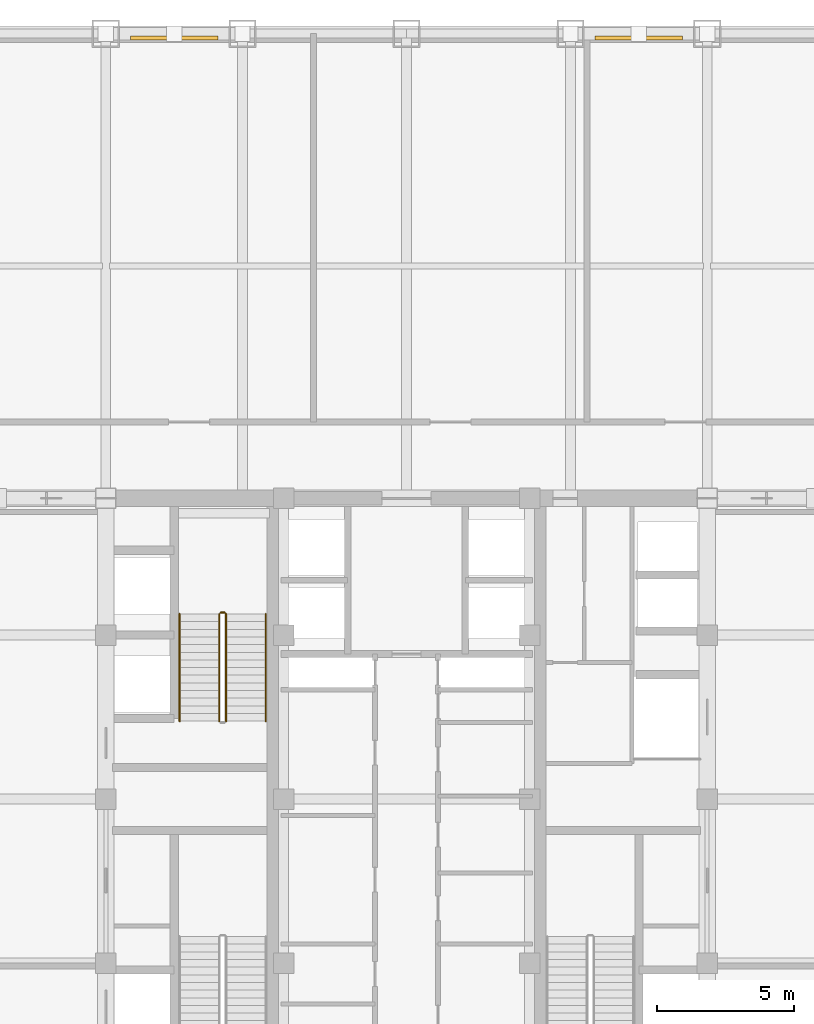
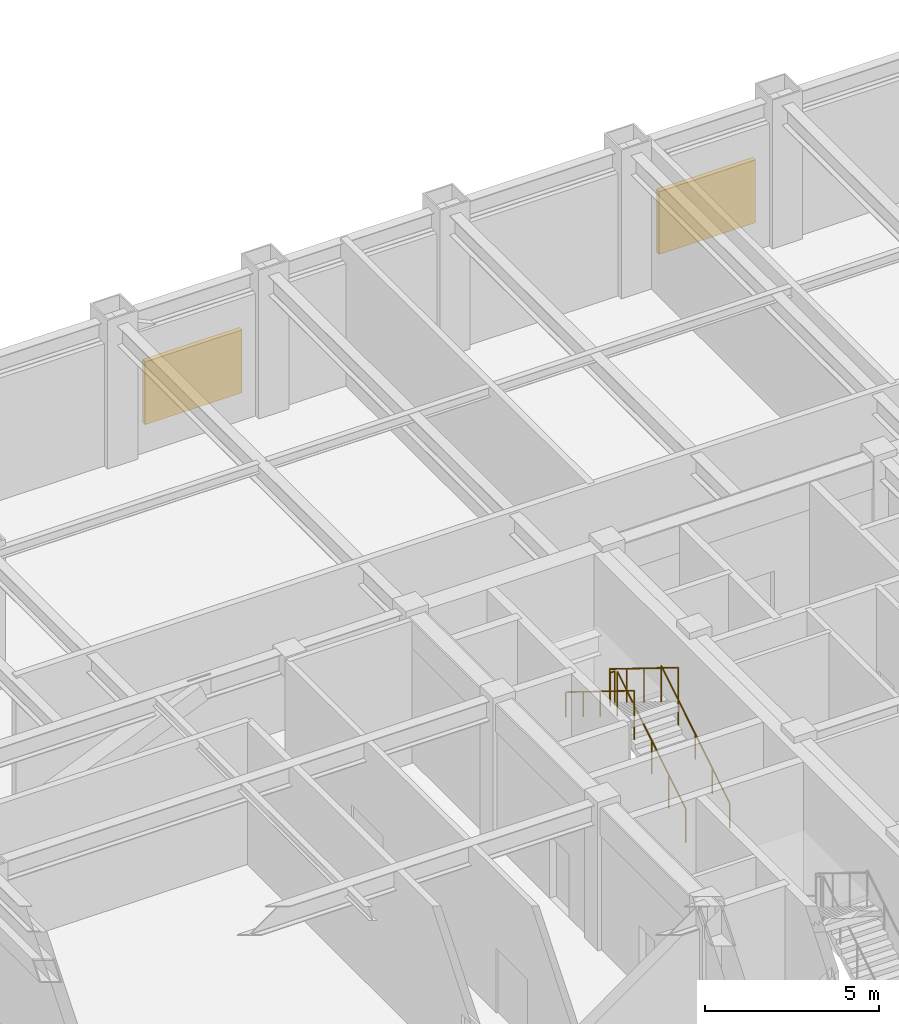
# One storey, part 11 of 11: 5 railings, 2 shading devices.
"""IFC4 building model written with IfcOpenShell, lengths in metres."""

import ifcopenshell
import ifcopenshell.guid

model = None  # the IFC model being written
_history = None  # IfcOwnerHistory: only IFC2X3 demands one
_inside = {}  # id of a spatial element -> (the spatial element, [elements in it])
_under = {}  # id of a project, library or spatial element -> (it, [spatial elements below it])
_declared = {}  # id of a project -> (the project, [libraries it declares])
_typed = {}  # id of a type object -> (the type object, [elements of that type])
_made_of = {}  # id of a material, layer set ... -> (it, [elements and type objects made of it])


def new_model(schema):
    """Start an empty IFC model of exactly this schema.

    Asked for "IFC4X3", IfcOpenShell would pick the latest addendum, in which some entities
    have other attributes; the version numbers below select the first issue.
    IFC2X3 requires an IfcOwnerHistory on every rooted entity: one is made here for all.
    """
    global model, _history
    if schema == "IFC4X3":
        model = ifcopenshell.file(schema_version=(4, 3, 0, 0))
    else:
        model = ifcopenshell.file(schema=schema)
    _inside.clear()
    _under.clear()
    _declared.clear()
    _typed.clear()
    _made_of.clear()
    _history = None
    if model.schema == "IFC2X3":
        org = make("IfcOrganization", Name="unknown")
        user = make(
            "IfcPersonAndOrganization",
            ThePerson=make("IfcPerson", FamilyName="unknown"),
            TheOrganization=org,
        )
        app = make(
            "IfcApplication",
            ApplicationDeveloper=org,
            Version="unknown",
            ApplicationFullName="unknown",
            ApplicationIdentifier="unknown",
        )
        _history = make(
            "IfcOwnerHistory",
            OwningUser=user,
            OwningApplication=app,
            ChangeAction="ADDED",
            CreationDate=0,
        )
    return model


def make(cls, **values):
    """One entity of the class cls with the attributes given. An attribute that is None is left unset."""
    return model.create_entity(
        cls, **{name: value for name, value in values.items() if value is not None}
    )


def rooted(cls, **values):
    """An entity with a GlobalId (a new one), such as an element, a storey or a relation."""
    return make(cls, GlobalId=ifcopenshell.guid.new(), OwnerHistory=_history, **values)


def si_unit(unit_type, name, prefix=None):
    """IfcSIUnit, for example si_unit("LENGTHUNIT", "METRE", prefix="MILLI")."""
    return make("IfcSIUnit", UnitType=unit_type, Prefix=prefix, Name=name)


def assignment(units):
    """IfcUnitAssignment: the units of a project."""
    return None if units is None else make("IfcUnitAssignment", Units=units)


def point(xyz):
    """IfcCartesianPoint."""
    return None if xyz is None else make("IfcCartesianPoint", Coordinates=xyz)


def direction(xyz):
    """IfcDirection."""
    return None if xyz is None else make("IfcDirection", DirectionRatios=xyz)


def frame(location, z_axis=None, x_axis=None):
    """IfcAxis2Placement3D, a coordinate frame: its origin and axes. An axis left out is left unset."""
    return make(
        "IfcAxis2Placement3D",
        Location=point(location),
        Axis=direction(z_axis),
        RefDirection=direction(x_axis),
    )


def frame_2d(location, x_axis=None):
    """IfcAxis2Placement2D, a coordinate frame in the plane: its origin and x axis."""
    return make(
        "IfcAxis2Placement2D", Location=point(location), RefDirection=direction(x_axis)
    )


def origin():
    """The frame at (0, 0, 0) with its axes left unset."""
    return frame((0.0, 0.0, 0.0))


def origin_2d():
    """The frame at (0, 0) in the plane with its x axis left unset."""
    return frame_2d((0.0, 0.0))


def place(relative_to, where):
    """IfcLocalPlacement: puts the frame where relative to a parent placement (None: the world)."""
    return make(
        "IfcLocalPlacement", PlacementRelTo=relative_to, RelativePlacement=where
    )


def context(
    kind, dimensions, precision=None, world=None, true_north=None, identifier=None
):
    """IfcGeometricRepresentationContext, for example the 3D "Model" context."""
    return make(
        "IfcGeometricRepresentationContext",
        ContextIdentifier=identifier,
        ContextType=kind,
        CoordinateSpaceDimension=dimensions,
        Precision=precision,
        WorldCoordinateSystem=world,
        TrueNorth=true_north,
    )


def subcontext(parent, identifier, kind, view, scale=None):
    """IfcGeometricRepresentationSubContext, for example "Body" below "Model"."""
    return make(
        "IfcGeometricRepresentationSubContext",
        ContextIdentifier=identifier,
        ContextType=kind,
        ParentContext=parent,
        TargetScale=scale,
        TargetView=view,
    )


def project(units=None, contexts=None):
    """IfcProject with its units and contexts."""
    return rooted(
        "IfcProject",
        Name="project",
        RepresentationContexts=contexts,
        UnitsInContext=assignment(units),
    )


def spatial(cls, under=None, at=None, **own):
    """A site, building, storey or space (cls), placed at a placement, below another one or the project."""
    s = rooted(cls, ObjectPlacement=at, **own)
    if under is not None:
        _under.setdefault(under.id(), (under, []))[1].append(s)
    return s


def profile(cls, at=None, kind="AREA", **sizes):
    """A parametric profile (cls). Its sizes go by their IFC names, for example OverallWidth=200.0."""
    return make(cls, ProfileType=kind, Position=at, **sizes)


def rectangle(**sizes):
    """IfcRectangleProfileDef."""
    return profile("IfcRectangleProfileDef", **sizes)


def circle(**sizes):
    """IfcCircleProfileDef."""
    return profile("IfcCircleProfileDef", **sizes)


def extrude(swept, where, along, depth):
    """IfcExtrudedAreaSolid: the profile swept, set in the frame where, extruded along a direction by depth."""
    return make(
        "IfcExtrudedAreaSolid",
        SweptArea=swept,
        Position=where,
        ExtrudedDirection=direction(along),
        Depth=depth,
    )


def shape(context_of_items, identifier, shape_type, items):
    """IfcShapeRepresentation: the items that make up one representation, for example the "Body"."""
    return make(
        "IfcShapeRepresentation",
        ContextOfItems=context_of_items,
        RepresentationIdentifier=identifier,
        RepresentationType=shape_type,
        Items=items,
    )


def source(mapping_origin, context_of_items, identifier, shape_type, items):
    """IfcRepresentationMap: a shape defined once, which mapped items show again and again."""
    return make(
        "IfcRepresentationMap",
        MappingOrigin=mapping_origin,
        MappedRepresentation=shape(context_of_items, identifier, shape_type, items),
    )


def transform(
    local_origin,
    x_axis=None,
    y_axis=None,
    z_axis=None,
    scale=None,
    scale2=None,
    scale3=None,
    uniform=True,
):
    """IfcCartesianTransformationOperator3D, or its non-uniform kind. x_axis, y_axis, z_axis: its Axis1, 2, 3."""
    if uniform:
        return make(
            "IfcCartesianTransformationOperator3D",
            Axis1=direction(x_axis),
            Axis2=direction(y_axis),
            LocalOrigin=point(local_origin),
            Scale=scale,
            Axis3=direction(z_axis),
        )
    return make(
        "IfcCartesianTransformationOperator3DnonUniform",
        Axis1=direction(x_axis),
        Axis2=direction(y_axis),
        LocalOrigin=point(local_origin),
        Scale=scale,
        Axis3=direction(z_axis),
        Scale2=scale2,
        Scale3=scale3,
    )


def mapped(mapping_source, mapping_target):
    """IfcMappedItem: shows the shape of a source again, moved by a transform."""
    return make(
        "IfcMappedItem", MappingSource=mapping_source, MappingTarget=mapping_target
    )


def material(Name=None, Category=None):
    """IfcMaterial."""
    return make("IfcMaterial", Name=Name, Category=Category)


def layer(
    of_material, thickness, ventilated=None, Name=None, Category=None, Priority=None
):
    """IfcMaterialLayer: one layer of a wall or slab, of a material (None: an air gap)."""
    return make(
        "IfcMaterialLayer",
        Material=of_material,
        LayerThickness=thickness,
        IsVentilated=ventilated,
        Name=Name,
        Category=Category,
        Priority=Priority,
    )


def layer_set(layers, Name=None):
    """IfcMaterialLayerSet."""
    return make("IfcMaterialLayerSet", MaterialLayers=layers, LayerSetName=Name)


def made_of(thing, what):
    """Note that an element or type object is made of a material, layer set ...; save() writes the relation."""
    if what is not None:
        _made_of.setdefault(what.id(), (what, []))[1].append(thing)
    return thing


def type_object(cls, material=None, **own):
    """A type object (cls), such as IfcWallType, which elements share."""
    return made_of(rooted(cls, **own), material)


def element(
    cls,
    number,
    at=None,
    inside=None,
    cuts=None,
    type_object=None,
    material=None,
    context=None,
    identifier="Body",
    shape_type=None,
    held_by="IfcProductDefinitionShape",
    body=None,
    shapes=None,
    **own,
):
    """One element of the class cls, such as IfcWall. Its Tag is "e" and its number.

    at: its placement. inside: the storey or other place that contains it. cuts: it is an
    opening in that element (IfcRelVoidsElement). A single representation is given by context,
    identifier, shape_type and body (its items); several are given by shapes. held_by: the class
    of the entity that holds the representations. save() writes the other relations.
    """
    e = rooted(cls, Tag="e%d" % number, ObjectPlacement=at, **own)
    if body is not None:
        shapes = [shape(context, identifier, shape_type, body)]
    if shapes is not None:
        e.Representation = make(held_by, Representations=shapes)
    if inside is not None:
        _inside.setdefault(inside.id(), (inside, []))[1].append(e)
    if cuts is not None:
        rooted(
            "IfcRelVoidsElement", RelatingBuildingElement=cuts, RelatedOpeningElement=e
        )
    if type_object is not None:
        _typed.setdefault(type_object.id(), (type_object, []))[1].append(e)
    return made_of(e, material)


def aggregate(whole, parts):
    """IfcRelAggregates: a whole, such as a stair, and the parts it consists of."""
    return rooted("IfcRelAggregates", RelatingObject=whole, RelatedObjects=parts)


def save(model, path):
    """Write the relations noted so far, then the file.

    IfcRelAggregates (storeys below a building ...), IfcRelContainedInSpatialStructure (elements
    in a storey), IfcRelDefinesByType, IfcRelAssociatesMaterial and IfcRelDeclares: one each for
    every whole, place, type object, material and project.
    """
    for whole, parts in _under.values():
        aggregate(whole, parts)
    for where, things in _inside.values():
        rooted(
            "IfcRelContainedInSpatialStructure",
            RelatedElements=things,
            RelatingStructure=where,
        )
    for kind, things in _typed.values():
        rooted("IfcRelDefinesByType", RelatedObjects=things, RelatingType=kind)
    for what, things in _made_of.values():
        rooted("IfcRelAssociatesMaterial", RelatedObjects=things, RelatingMaterial=what)
    for by, libraries in _declared.values():
        rooted("IfcRelDeclares", RelatingContext=by, RelatedDefinitions=libraries)
    model.write(path)


model = new_model("IFC4")

# Units and contexts
model_context = context("Model", 3, precision=1e-05, world=origin(), true_north=direction((0.0, 1.0)))
body_context = subcontext(model_context, "Body", "Model", "MODEL_VIEW")
ifc_project = project(units=[si_unit("LENGTHUNIT", "METRE"), si_unit("AREAUNIT", "SQUARE_METRE"), si_unit("VOLUMEUNIT", "CUBIC_METRE"), si_unit("PLANEANGLEUNIT", "RADIAN"), si_unit("MASSUNIT", "GRAM", prefix="KILO")], contexts=[model_context])

# Site, building, storey
site_placement = place(None, origin())
site = spatial("IfcSite", under=ifc_project, at=site_placement, CompositionType="ELEMENT")
building_placement = place(site_placement, origin())
building = spatial("IfcBuilding", under=site, at=building_placement, Name="Khorayat Bourse Tower", CompositionType="ELEMENT")
storey_placement = place(building_placement, frame((0.0, 0.0, 268.300048828125)))
storey = spatial("IfcBuildingStorey", under=building, at=storey_placement, Name="L63", CompositionType="ELEMENT", Elevation=268.300048828125)

# Shading devices
ifc_material_1 = material(Name="Anodised champagne aluminium", Category="aluminium")
ifc_layer = layer(ifc_material_1, 0.14990234375)
ifc_layer_set = layer_set([ifc_layer], Name="Anodised champagne aluminium")
shading_device_type = type_object("IfcShadingDeviceType", Name="SHD-PLANT-LOUVRE", PredefinedType="JALOUSIE", material=ifc_layer_set)
shared_shape_1 = source(origin(), body_context, "Body", "SweptSolid", [
    extrude(rectangle(XDim=3.199951171875, YDim=0.14990234375, at=origin_2d()), origin(), (0.0, 0.0, 1.0), 2.199951171875),
])
for number, where, z_axis, x_axis, name in (
    (1, (-8.5, 27.840087890625, 0.89990234375), (0.0, 0.0, 1.0), (1.0, 0.0, 0.0), "L63 Acoustic Plant Intake Louvre N-1"),
    (2, (8.5, 27.840087890625, 0.89990234375), (0.0, 0.0, 1.0), (1.0, 0.0, 0.0), "L63 Acoustic Plant Intake Louvre N-2"),
):
    element("IfcShadingDevice", number, at=place(storey_placement, frame(where, z_axis=z_axis, x_axis=x_axis)), inside=storey, type_object=shading_device_type, Name=name, PredefinedType="JALOUSIE", context=body_context, shape_type="MappedRepresentation", body=[
        mapped(shared_shape_1, transform((0.0, 0.0, 0.0), scale=1.0)),
    ])

# Railings
ifc_material_2 = material(Name="Powder-coated steel balustrade", Category="steel")
railing_type_1 = type_object("IfcRailingType", Name="RLG-GUARD-1200", PredefinedType="GUARDRAIL", material=ifc_material_2)
shared_shape_2 = source(origin(), body_context, "Body", "SweptSolid", [
    extrude(circle(Radius=0.02392578125, at=origin_2d()), frame((0.0, 0.0, 1.17578125), z_axis=(-1.0, 0.0, 0.0), x_axis=(0.0, -1.0, 0.0)), (0.0, 0.0, 1.0), 0.150146484375),
    extrude(circle(Radius=0.02099609375, at=origin_2d()), origin(), (0.0, 0.0, 1.0), 1.15185546875),
    extrude(circle(Radius=0.02099609375, at=origin_2d()), frame((-0.150146484375, 0.0, 0.0)), (0.0, 0.0, 1.0), 1.15185546875),
])
railing_1_placement = place(storey_placement, frame((-6.64990234375, 6.820068359375, 2.599853515625)))
element("IfcRailing", 3, at=railing_1_placement, inside=storey, type_object=railing_type_1, Name="L63 ST-2 stair guard 2", PredefinedType="GUARDRAIL", context=body_context, shape_type="MappedRepresentation", body=[
    mapped(shared_shape_2, transform((0.0, 0.0, 0.0), scale=1.0)),
])
shared_shape_3 = source(origin(), body_context, "Body", "SweptSolid", [
    extrude(circle(Radius=0.02392578125, at=origin_2d()), frame((0.0, 0.0, 1.17578125), z_axis=(0.0, -0.850251603719, 0.526376491091), x_axis=(1.0, 0.0, 0.0)), (0.0, 0.0, 1.0), 4.6103515625),
    extrude(circle(Radius=0.02099609375, at=origin_2d()), origin(), (0.0, 0.0, 1.0), 1.15185546875),
    extrude(circle(Radius=0.02099609375, at=origin_2d()), frame((0.0, -0.97998046875, 0.606689453125)), (0.0, 0.0, 1.0), 1.15185546875),
    extrude(circle(Radius=0.02099609375, at=origin_2d()), frame((0.0, -1.9599609375, 1.21337890625)), (0.0, 0.0, 1.0), 1.15185546875),
    extrude(circle(Radius=0.02099609375, at=origin_2d()), frame((0.0, -2.93994140625, 1.820068359375)), (0.0, 0.0, 1.0), 1.15185546875),
    extrude(circle(Radius=0.02099609375, at=origin_2d()), frame((0.0, -3.919921875, 2.4267578125)), (0.0, 0.0, 1.0), 1.15185546875),
])
railing_2_placement = place(storey_placement, frame((-6.85009765625, 6.77001953125, 2.773193359375)))
element("IfcRailing", 4, at=railing_2_placement, inside=storey, type_object=railing_type_1, Name="L63 ST-2 stair guard 3", PredefinedType="GUARDRAIL", context=body_context, shape_type="MappedRepresentation", body=[
    mapped(shared_shape_3, transform((0.0, 0.0, 0.0), scale=1.0)),
])
ifc_material_3 = material(Name="Brushed bronze stainless-steel handrail", Category="steel")
railing_type_2 = type_object("IfcRailingType", Name="RLG-HAND-900", PredefinedType="HANDRAIL", material=ifc_material_3)
shared_shape_4 = source(origin(), body_context, "Body", "SweptSolid", [
    extrude(circle(Radius=0.02392578125, at=origin_2d()), frame((0.0, 0.0, 0.8759765625), z_axis=(0.0, -0.850251603719, 0.526376491091), x_axis=(1.0, 0.0, 0.0)), (0.0, 0.0, 1.0), 4.6103515625),
    extrude(circle(Radius=0.02099609375, at=origin_2d()), origin(), (0.0, 0.0, 1.0), 0.851806640625),
    extrude(circle(Radius=0.02099609375, at=origin_2d()), frame((0.0, -0.97998046875, 0.606689453125)), (0.0, 0.0, 1.0), 0.851806640625),
    extrude(circle(Radius=0.02099609375, at=origin_2d()), frame((0.0, -1.9599609375, 1.21337890625)), (0.0, 0.0, 1.0), 0.851806640625),
    extrude(circle(Radius=0.02099609375, at=origin_2d()), frame((0.0, -2.93994140625, 1.820068359375)), (0.0, 0.0, 1.0), 0.851806640625),
    extrude(circle(Radius=0.02099609375, at=origin_2d()), frame((0.0, -3.919921875, 2.4267578125)), (0.0, 0.0, 1.0), 0.851806640625),
])
railing_3_placement = place(storey_placement, frame((-8.300048828125, 6.77001953125, 2.773193359375)))
element("IfcRailing", 5, at=railing_3_placement, inside=storey, type_object=railing_type_2, Name="L63 ST-2 stair handrail 2", PredefinedType="HANDRAIL", context=body_context, shape_type="MappedRepresentation", body=[
    mapped(shared_shape_4, transform((0.0, 0.0, 0.0), scale=1.0)),
])
shared_shape_5 = source(origin(), body_context, "Body", "SweptSolid", [
    extrude(circle(Radius=0.02392578125, at=origin_2d()), frame((0.0, 0.0, 1.17578125), z_axis=(0.0, 0.850275303828, 0.526338206574), x_axis=(-1.0, 0.0, 0.0)), (0.0, 0.0, 1.0), 4.610107421875),
    extrude(circle(Radius=0.02099609375, at=origin_2d()), origin(), (0.0, 0.0, 1.0), 1.15185546875),
    extrude(circle(Radius=0.02099609375, at=origin_2d()), frame((0.0, 0.97998046875, 0.606689453125)), (0.0, 0.0, 1.0), 1.15185546875),
    extrude(circle(Radius=0.02099609375, at=origin_2d()), frame((0.0, 1.9599609375, 1.21337890625)), (0.0, 0.0, 1.0), 1.15185546875),
    extrude(circle(Radius=0.02099609375, at=origin_2d()), frame((0.0, 2.93994140625, 1.81982421875)), (0.0, 0.0, 1.0), 1.15185546875),
    extrude(circle(Radius=0.02099609375, at=origin_2d()), frame((0.0, 3.919921875, 2.426513671875)), (0.0, 0.0, 1.0), 1.15185546875),
])
railing_4_placement = place(storey_placement, frame((-6.60009765625, 2.85009765625, 0.17333984375)))
element("IfcRailing", 6, at=railing_4_placement, inside=storey, type_object=railing_type_1, Name="L63 ST-2 stair guard 1", PredefinedType="GUARDRAIL", context=body_context, shape_type="MappedRepresentation", body=[
    mapped(shared_shape_5, transform((0.0, 0.0, 0.0), scale=1.0)),
])
shared_shape_6 = source(origin(), body_context, "Body", "SweptSolid", [
    extrude(circle(Radius=0.02392578125, at=origin_2d()), frame((0.0, 0.0, 0.8759765625), z_axis=(0.0, 0.850275303828, 0.526338206574), x_axis=(-1.0, 0.0, 0.0)), (0.0, 0.0, 1.0), 4.610107421875),
    extrude(circle(Radius=0.02099609375, at=origin_2d()), origin(), (0.0, 0.0, 1.0), 0.851806640625),
    extrude(circle(Radius=0.02099609375, at=origin_2d()), frame((0.0, 0.97998046875, 0.606689453125)), (0.0, 0.0, 1.0), 0.851806640625),
    extrude(circle(Radius=0.02099609375, at=origin_2d()), frame((0.0, 1.9599609375, 1.21337890625)), (0.0, 0.0, 1.0), 0.851806640625),
    extrude(circle(Radius=0.02099609375, at=origin_2d()), frame((0.0, 2.93994140625, 1.81982421875)), (0.0, 0.0, 1.0), 0.851806640625),
    extrude(circle(Radius=0.02099609375, at=origin_2d()), frame((0.0, 3.919921875, 2.426513671875)), (0.0, 0.0, 1.0), 0.851806640625),
])
railing_5_placement = place(storey_placement, frame((-5.14990234375, 2.85009765625, 0.17333984375)))
element("IfcRailing", 7, at=railing_5_placement, inside=storey, type_object=railing_type_2, Name="L63 ST-2 stair handrail 1", PredefinedType="HANDRAIL", context=body_context, shape_type="MappedRepresentation", body=[
    mapped(shared_shape_6, transform((0.0, 0.0, 0.0), scale=1.0)),
])

save(model, "model.ifc")
